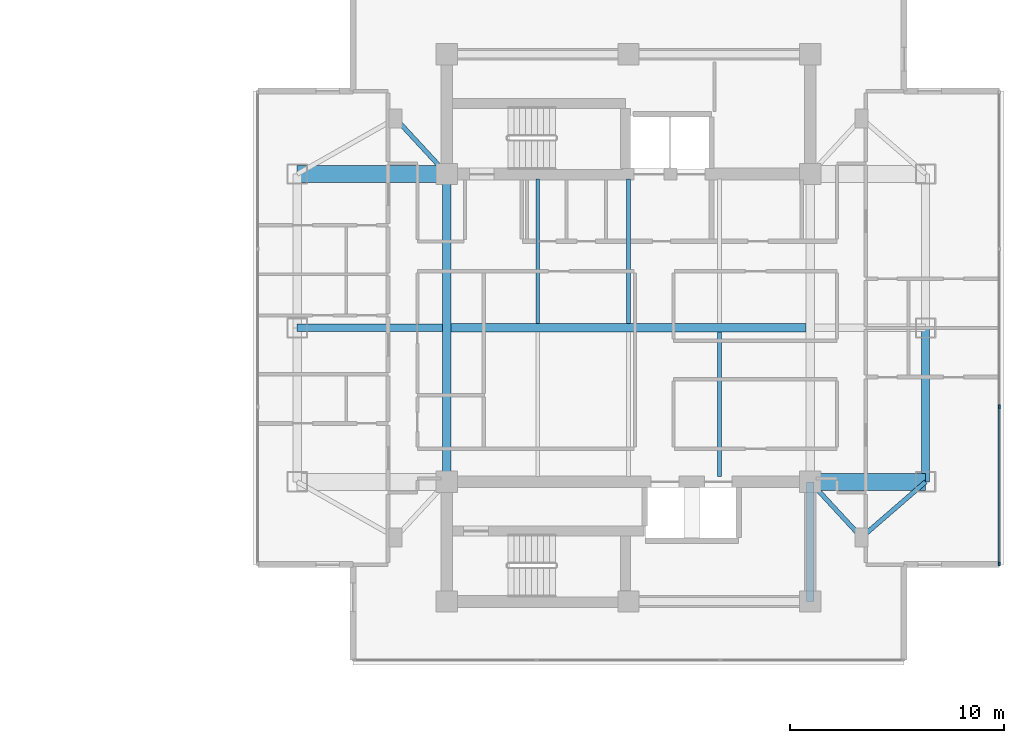
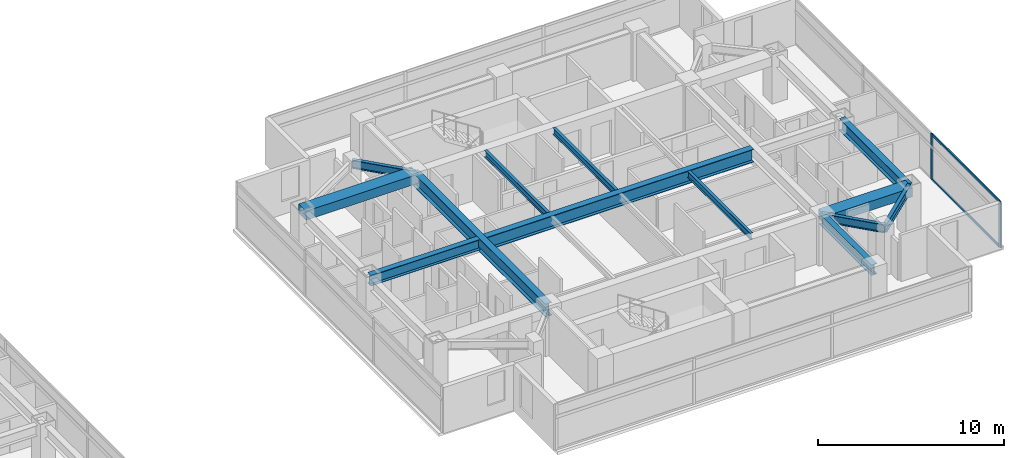
# One storey, part 9 of 24: 13 beams, 4 members, 1 element without a shape of its own.
"""IFC4 building model written with IfcOpenShell, lengths in metres."""

from ifc_helpers import new_model, si_unit, direction, frame, origin, origin_2d, place, context, subcontext, project, spatial, rectangle, i_section, extrude, material, material_profile, profile_set, type_object, element, aggregate, save


model = new_model("IFC4")

# Units and contexts
model_context = context("Model", 3, precision=1e-05, world=origin(), true_north=direction((0.0, 1.0)))
body_context = subcontext(model_context, "Body", "Model", "MODEL_VIEW")
ifc_project = project(units=[si_unit("LENGTHUNIT", "METRE"), si_unit("AREAUNIT", "SQUARE_METRE"), si_unit("VOLUMEUNIT", "CUBIC_METRE"), si_unit("PLANEANGLEUNIT", "RADIAN"), si_unit("MASSUNIT", "GRAM", prefix="KILO")], contexts=[model_context])

# Site, building, storey
site_placement = place(None, origin())
site = spatial("IfcSite", under=ifc_project, at=site_placement, CompositionType="ELEMENT")
building_placement = place(site_placement, origin())
building = spatial("IfcBuilding", under=site, at=building_placement, Name="Mirazonda Arch Towers", CompositionType="ELEMENT")
storey_placement = place(building_placement, frame((0.0, 0.0, 164.14990234375)))
storey = spatial("IfcBuildingStorey", under=building, at=storey_placement, Name="L46", CompositionType="ELEMENT", Elevation=164.14990234375)

# Beams
ifc_material_1 = material(Name="Steel ASTM A992 Grade 50", Category="steel")
ifc_material_profile_1 = material_profile(ifc_material_1, i_section(OverallWidth=0.381103515625, OverallDepth=0.77294921875, WebThickness=0.0166015625, FlangeThickness=0.027099609375, at=origin_2d()), Name="W30X173")
ifc_profile_set_1 = profile_set([ifc_material_profile_1], Name="Steel ASTM A992 Grade 50")
beam_type_1 = type_object("IfcBeamType", Name="BM-EXT-W30X173", PredefinedType="USERDEFINED", material=ifc_profile_set_1)
beam_1_placement = place(storey_placement, frame((90.39990234375, 20.800048828125, 2.66357421875), z_axis=(0.0, 1.0, 0.0), x_axis=(-1.0, 0.0, 0.0)))
element("IfcBeam", 1, at=beam_1_placement, inside=storey, type_object=beam_type_1, Name="L46 Floor Beam BM-T2-L46-NS-E-20", ObjectType="GIRDER", PredefinedType="USERDEFINED", context=body_context, shape_type="SweptSolid", body=[
    extrude(i_section(OverallWidth=0.381103515625, OverallDepth=0.77294921875, WebThickness=0.0166015625, FlangeThickness=0.027099609375, at=origin_2d()), origin(), (0.0, 0.0, 1.0), 7.199951171875),
])
ifc_material_profile_2 = material_profile(ifc_material_1, i_section(OverallWidth=0.180908203125, OverallDepth=0.4169921875, WebThickness=0.010986328125, FlangeThickness=0.018310546875, at=origin_2d()), Name="W16X57")
ifc_profile_set_2 = profile_set([ifc_material_profile_2], Name="Steel ASTM A992 Grade 50")
beam_type_2 = type_object("IfcBeamType", Name="BM-INT-W16X57", PredefinedType="JOIST", material=ifc_profile_set_2)
for number, where, z_axis, x_axis, name in (
    (2, (72.25, 28.196044921875, 2.841552734375), (0.0, 1.0, 0.0), (-1.0, 0.0, 0.0), "L46 Floor Beam BM-T2-L46-J-722-28"),
    (3, (76.5, 28.196044921875, 2.841552734375), (0.0, 1.0, 0.0), (-1.0, 0.0, 0.0), "L46 Floor Beam BM-T2-L46-J-765-28"),
    (4, (80.75, 21.0400390625, 2.841552734375), (0.0, 1.0, 0.0), (-1.0, 0.0, 0.0), "L46 Floor Beam BM-T2-L46-J-807-20"),
):
    element("IfcBeam", number, at=place(storey_placement, frame(where, z_axis=z_axis, x_axis=x_axis)), inside=storey, type_object=beam_type_2, Name=name, PredefinedType="JOIST", context=body_context, shape_type="SweptSolid", body=[
        extrude(i_section(OverallWidth=0.180908203125, OverallDepth=0.4169921875, WebThickness=0.010986328125, FlangeThickness=0.018310546875, at=origin_2d()), origin(), (0.0, 0.0, 1.0), 6.763916015625),
    ])
ifc_material_profile_3 = material_profile(ifc_material_1, i_section(OverallWidth=0.214111328125, OverallDepth=0.549072265625, WebThickness=0.0146484375, FlangeThickness=0.023681640625, at=origin_2d()), Name="W21X93")
ifc_profile_set_3 = profile_set([ifc_material_profile_3], Name="Steel ASTM A992 Grade 50")
beam_type_3 = type_object("IfcBeamType", Name="BM-INT-W21X93", PredefinedType="BEAM", material=ifc_profile_set_3)
beam_2_placement = place(storey_placement, frame((87.39990234375, 18.199951171875, 2.775634765625), z_axis=(-0.678251444854, 0.734829897019, 0.0), x_axis=(-0.734829897019, -0.678251444854, 0.0)))
element("IfcBeam", 5, at=beam_2_placement, inside=storey, type_object=beam_type_3, Name="L46 Floor Beam BM-T2-L46-PL-SE1", PredefinedType="BEAM", context=body_context, shape_type="SweptSolid", body=[
    extrude(i_section(OverallWidth=0.214111328125, OverallDepth=0.549072265625, WebThickness=0.0146484375, FlangeThickness=0.023681640625, at=origin_2d()), origin(), (0.0, 0.0, 1.0), 3.538330078125),
])
beam_3_placement = place(storey_placement, frame((87.39990234375, 18.199951171875, 2.775634765625), z_axis=(0.755676908098, 0.654944585876, 0.0), x_axis=(-0.654944585876, 0.755676908098, 0.0)))
element("IfcBeam", 6, at=beam_3_placement, inside=storey, type_object=beam_type_3, Name="L46 Floor Beam BM-T2-L46-PL-SE2", PredefinedType="BEAM", context=body_context, shape_type="SweptSolid", body=[
    extrude(i_section(OverallWidth=0.214111328125, OverallDepth=0.549072265625, WebThickness=0.0146484375, FlangeThickness=0.023681640625, at=origin_2d()), origin(), (0.0, 0.0, 1.0), 3.969970703125),
])
beam_4_placement = place(storey_placement, frame((65.60009765625, 37.800048828125, 2.775634765625), z_axis=(0.678251444854, -0.734829897019, 0.0), x_axis=(0.734829897019, 0.678251444854, 0.0)))
element("IfcBeam", 7, at=beam_4_placement, inside=storey, type_object=beam_type_3, Name="L46 Floor Beam BM-T2-L46-PL-NW1", PredefinedType="BEAM", context=body_context, shape_type="SweptSolid", body=[
    extrude(i_section(OverallWidth=0.214111328125, OverallDepth=0.549072265625, WebThickness=0.0146484375, FlangeThickness=0.023681640625, at=origin_2d()), origin(), (0.0, 0.0, 1.0), 3.538330078125),
])
ifc_material_profile_4 = material_profile(ifc_material_1, i_section(OverallWidth=0.35498046875, OverallDepth=0.696044921875, WebThickness=0.015380859375, FlangeThickness=0.02490234375, at=origin_2d()), Name="W27X146")
ifc_profile_set_4 = profile_set([ifc_material_profile_4], Name="Steel ASTM A992 Grade 50")
beam_type_4 = type_object("IfcBeamType", Name="BM-INT-W27X146", PredefinedType="BEAM", material=ifc_profile_set_4)
beam_5_placement = place(storey_placement, frame((85.0, 15.199951171875, 2.7021484375), z_axis=(0.0, 1.0, 0.0), x_axis=(-1.0, 0.0, 0.0)))
element("IfcBeam", 8, at=beam_5_placement, inside=storey, type_object=beam_type_4, Name="L46 Floor Beam BM-T2-L46-CSE", PredefinedType="BEAM", context=body_context, shape_type="SweptSolid", body=[
    extrude(i_section(OverallWidth=0.35498046875, OverallDepth=0.696044921875, WebThickness=0.015380859375, FlangeThickness=0.02490234375, at=origin_2d()), origin(), (0.0, 0.0, 1.0), 5.60009765625),
])
beam_6_placement = place(storey_placement, frame((61.0, 28.0, 2.7021484375), z_axis=(1.0, 0.0, 0.0), x_axis=(0.0, 1.0, 0.0)))
element("IfcBeam", 9, at=beam_6_placement, inside=storey, type_object=beam_type_4, Name="L46 Floor Beam BM-T2-L46-GW2", PredefinedType="BEAM", context=body_context, shape_type="SweptSolid", body=[
    extrude(i_section(OverallWidth=0.35498046875, OverallDepth=0.696044921875, WebThickness=0.015380859375, FlangeThickness=0.02490234375, at=origin_2d()), origin(), (0.0, 0.0, 1.0), 6.800048828125),
])
ifc_material_profile_5 = material_profile(ifc_material_1, i_section(OverallWidth=0.39990234375, OverallDepth=0.85595703125, WebThickness=0.018310546875, FlangeThickness=0.029296875, at=origin_2d()), Name="W33X201")
ifc_profile_set_5 = profile_set([ifc_material_profile_5], Name="Steel ASTM A992 Grade 50")
beam_type_5 = type_object("IfcBeamType", Name="BM-INT-W33X201", PredefinedType="USERDEFINED", material=ifc_profile_set_5)
beam_7_placement = place(storey_placement, frame((68.199951171875, 28.0, 2.6220703125), z_axis=(1.0, 0.0, 0.0), x_axis=(0.0, 1.0, 0.0)))
element("IfcBeam", 10, at=beam_7_placement, inside=storey, type_object=beam_type_5, Name="L46 Floor Beam BM-T2-L46-GC2", ObjectType="GIRDER", PredefinedType="USERDEFINED", context=body_context, shape_type="SweptSolid", body=[
    extrude(i_section(OverallWidth=0.39990234375, OverallDepth=0.85595703125, WebThickness=0.018310546875, FlangeThickness=0.029296875, at=origin_2d()), origin(), (0.0, 0.0, 1.0), 16.60009765625),
])
beam_8_placement = place(storey_placement, frame((68.0, 20.800048828125, 2.6220703125), z_axis=(0.0, 1.0, 0.0), x_axis=(-1.0, 0.0, 0.0)))
element("IfcBeam", 11, at=beam_8_placement, inside=storey, type_object=beam_type_5, Name="L46 Floor Beam BM-T2-L46-NS-CW-FULL", ObjectType="GIRDER", PredefinedType="USERDEFINED", context=body_context, shape_type="SweptSolid", body=[
    extrude(i_section(OverallWidth=0.39990234375, OverallDepth=0.85595703125, WebThickness=0.018310546875, FlangeThickness=0.029296875, at=origin_2d()), origin(), (0.0, 0.0, 1.0), 14.39990234375),
])
ifc_material_2 = material(Name="Concrete C60/75", Category="concrete")
ifc_material_profile_6 = material_profile(ifc_material_2, rectangle(XDim=0.800048828125, YDim=0.60009765625, at=origin_2d()), Name="RCCB800x600")
ifc_profile_set_6 = profile_set([ifc_material_profile_6], Name="Concrete C60/75")
beam_type_6 = type_object("IfcBeamType", Name="CB-INT-RCCB800x600", PredefinedType="SPANDREL", material=ifc_profile_set_6)
beam_9_placement = place(storey_placement, frame((61.0, 35.199951171875, 2.75), z_axis=(1.0, 0.0, 0.0), x_axis=(0.0, 1.0, 0.0)))
element("IfcBeam", 12, at=beam_9_placement, inside=storey, type_object=beam_type_6, Name="L46 Floor Beam CBC-T2-L46-NW", PredefinedType="SPANDREL", context=body_context, shape_type="SweptSolid", body=[
    extrude(rectangle(XDim=0.800048828125, YDim=0.60009765625, at=origin_2d()), origin(), (0.0, 0.0, 1.0), 7.0),
])
beam_10_placement = place(storey_placement, frame((85.0, 20.800048828125, 2.75), z_axis=(1.0, 0.0, 0.0), x_axis=(0.0, 1.0, 0.0)))
element("IfcBeam", 13, at=beam_10_placement, inside=storey, type_object=beam_type_6, Name="L46 Floor Beam CBC-T2-L46-SE", PredefinedType="SPANDREL", context=body_context, shape_type="SweptSolid", body=[
    extrude(rectangle(XDim=0.800048828125, YDim=0.60009765625, at=origin_2d()), origin(), (0.0, 0.0, 1.0), 5.39990234375),
])

# Curtain wall, members
ifc_material_3 = material(Name="Anodised Aluminium and Low-E Glass", Category="aluminium")
curtain_wall_type = type_object("IfcCurtainWallType", Name="CW-RES-UNIT", PredefinedType="NOTDEFINED", material=ifc_material_3)
curtain_wall_placement = place(storey_placement, origin())
curtain_wall = element("IfcCurtainWall", 14, at=curtain_wall_placement, inside=storey, type_object=curtain_wall_type, Name="L46 T2 E Facade CW-L46-T2-E", PredefinedType="NOTDEFINED")
ifc_material_4 = material(Name="Anodised Aluminium Alloy", Category="aluminium")
ifc_material_profile_7 = material_profile(ifc_material_4, rectangle(XDim=0.074951171875, YDim=0.175048828125, at=origin_2d()), Name="ALU-MULL-75x175")
ifc_profile_set_7 = profile_set([ifc_material_profile_7], Name="Anodised Aluminium Alloy")
member_type_1 = type_object("IfcMemberType", Name="MULL-CW-RES-UNIT", PredefinedType="MULLION", material=ifc_profile_set_7)
member_1_placement = place(storey_placement, frame((93.846435546875, 16.961181640625, 0.0), z_axis=(0.0, 0.0, 1.0), x_axis=(-1.0, 0.0, 0.0)))
member_1 = element("IfcMember", 15, at=member_1_placement, type_object=member_type_1, Name="CW-104 mullion 1", PredefinedType="MULLION", context=body_context, shape_type="SweptSolid", body=[
    extrude(rectangle(XDim=0.074951171875, YDim=0.175048828125, at=origin_2d()), origin(), (0.0, 0.0, 1.0), 3.030029296875),
])
member_2_placement = place(storey_placement, frame((93.846435546875, 24.307861328125, 0.0), z_axis=(0.0, 0.0, 1.0), x_axis=(-1.0, 0.0, 0.0)))
member_2 = element("IfcMember", 16, at=member_2_placement, type_object=member_type_1, Name="CW-104 mullion 2", PredefinedType="MULLION", context=body_context, shape_type="SweptSolid", body=[
    extrude(rectangle(XDim=0.074951171875, YDim=0.175048828125, at=origin_2d()), origin(), (0.0, 0.0, 1.0), 3.030029296875),
])
ifc_material_profile_8 = material_profile(ifc_material_4, rectangle(XDim=0.074951171875, YDim=0.155029296875, at=origin_2d()), Name="ALU-TRAN-75x155")
ifc_profile_set_8 = profile_set([ifc_material_profile_8], Name="Anodised Aluminium Alloy")
member_type_2 = type_object("IfcMemberType", Name="TRAN-CW-RES-UNIT", PredefinedType="USERDEFINED", material=ifc_profile_set_8)
member_3_placement = place(storey_placement, frame((93.846435546875, 16.998779296875, 0.03759765625), z_axis=(0.0, 1.0, 0.0), x_axis=(-1.0, 0.0, 0.0)))
member_3 = element("IfcMember", 17, at=member_3_placement, type_object=member_type_2, Name="CW-104 transom 1.1", ObjectType="TRANSOM", PredefinedType="USERDEFINED", context=body_context, shape_type="SweptSolid", body=[
    extrude(rectangle(XDim=0.074951171875, YDim=0.155029296875, at=origin_2d()), origin(), (0.0, 0.0, 1.0), 7.271728515625),
])
member_4_placement = place(storey_placement, frame((93.846435546875, 16.998779296875, 2.99267578125), z_axis=(0.0, 1.0, 0.0), x_axis=(-1.0, 0.0, 0.0)))
member_4 = element("IfcMember", 18, at=member_4_placement, type_object=member_type_2, Name="CW-104 transom 1.2", ObjectType="TRANSOM", PredefinedType="USERDEFINED", context=body_context, shape_type="SweptSolid", body=[
    extrude(rectangle(XDim=0.074951171875, YDim=0.155029296875, at=origin_2d()), origin(), (0.0, 0.0, 1.0), 7.271728515625),
])
aggregate(curtain_wall, [member_1, member_2, member_3, member_4])

save(model, "model.ifc")
